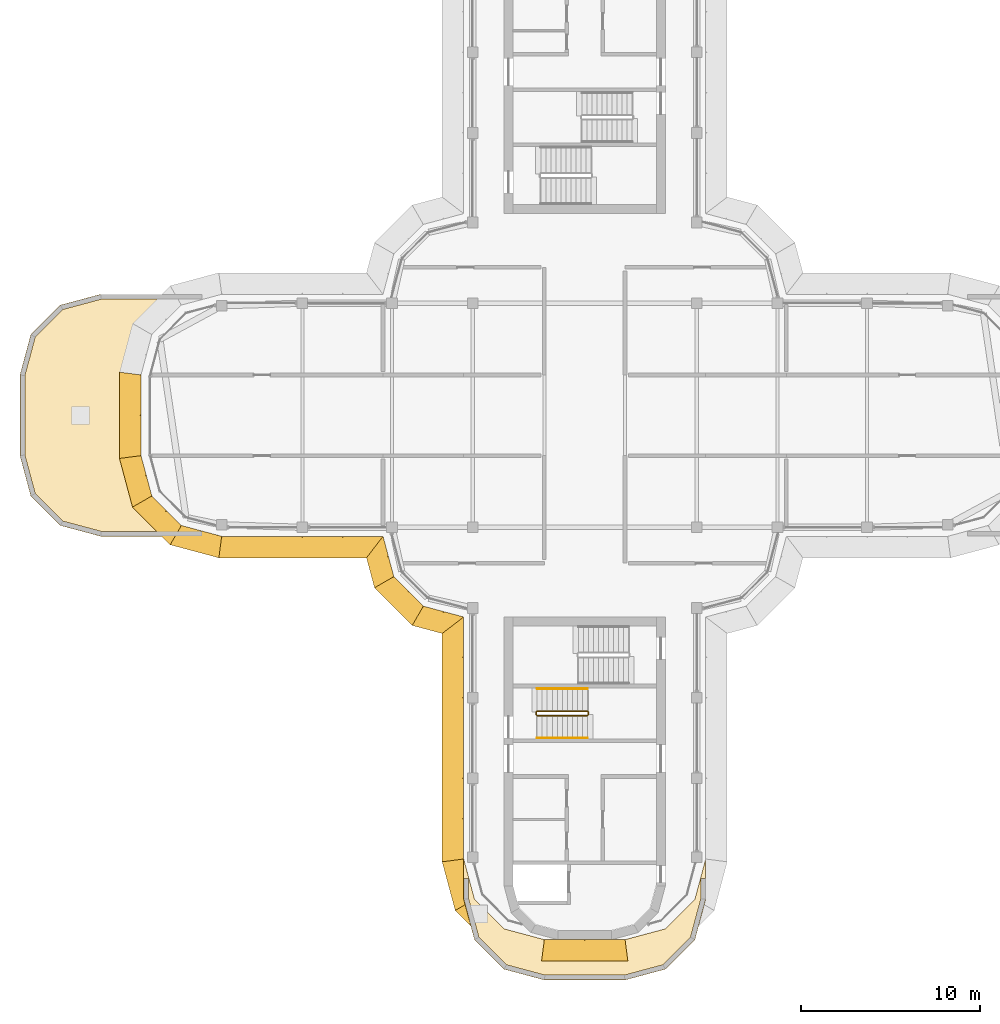
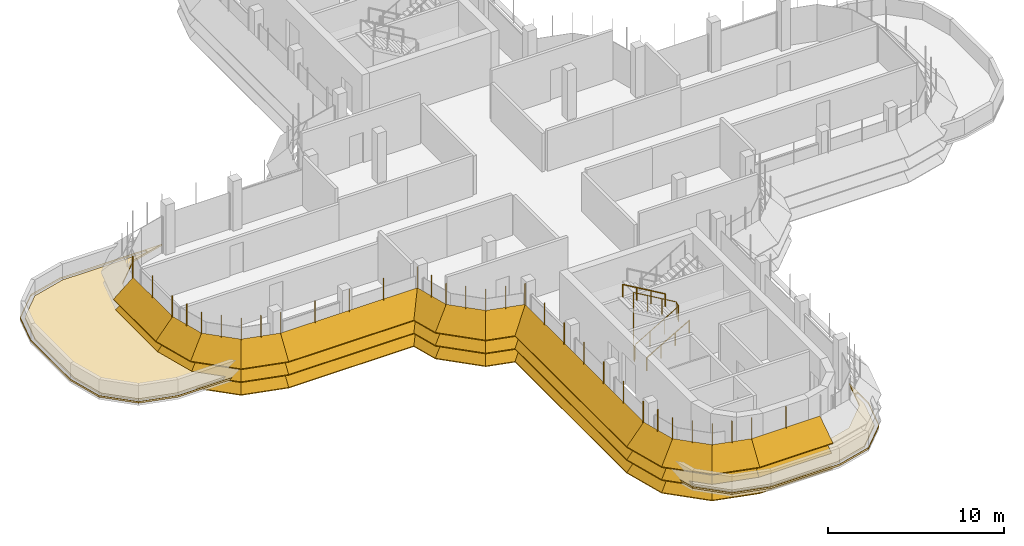
# One storey, part 17 of 20: 7 shading devices, 3 railings, 2 coverings.
"""IFC4 building model written with IfcOpenShell, lengths in metres."""

from ifc_helpers import new_model, si_unit, direction, frame, origin, origin_2d, place, context, subcontext, project, spatial, polyline, circle, outline, extrude, faceted_brep, source, transform, mapped, material, layer, layer_set, type_object, element, save


model = new_model("IFC4")

# Units and contexts
model_context = context("Model", 3, precision=1e-05, world=origin(), true_north=direction((0.0, 1.0)))
body_context = subcontext(model_context, "Body", "Model", "MODEL_VIEW")
ifc_project = project(units=[si_unit("LENGTHUNIT", "METRE"), si_unit("AREAUNIT", "SQUARE_METRE"), si_unit("VOLUMEUNIT", "CUBIC_METRE"), si_unit("PLANEANGLEUNIT", "RADIAN"), si_unit("MASSUNIT", "GRAM", prefix="KILO")], contexts=[model_context])

# Site, building, storey
site_placement = place(None, origin())
site = spatial("IfcSite", under=ifc_project, at=site_placement, CompositionType="ELEMENT")
building_placement = place(site_placement, origin())
building = spatial("IfcBuilding", under=site, at=building_placement, Name="Zarbagh Exchange Tower", CompositionType="ELEMENT")
storey_placement = place(building_placement, frame((0.0, 0.0, 291.60009765625)))
storey = spatial("IfcBuildingStorey", under=building, at=storey_placement, Name="L71", CompositionType="ELEMENT", Elevation=291.60009765625)

# Railings
ifc_material_1 = material(Name="Stainless steel", Category="steel")
railing_type_1 = type_object("IfcRailingType", Name="Stair guard 1100 mm", PredefinedType="GUARDRAIL", material=ifc_material_1)
railing_1_placement = place(storey_placement, frame((-2.64990234375, -16.75, 0.16357421875)))
element("IfcRailing", 1, at=railing_1_placement, inside=storey, type_object=railing_type_1, Name="ST3 stair guard 1", PredefinedType="GUARDRAIL", context=body_context, shape_type="SweptSolid", body=[
    extrude(circle(Radius=0.02392578125, at=origin_2d()), frame((0.0, 0.0, 1.076171875), z_axis=(0.863374499697, 0.0, 0.504563646405), x_axis=(0.0, 1.0, 0.0)), (0.0, 0.0, 1.0), 3.242919921875),
    extrude(circle(Radius=0.02392578125, at=origin_2d()), frame((2.7998046875, 0.0, 2.71240234375), z_axis=(0.707106781187, 0.707106781187, 0.0), x_axis=(-0.707106781187, 0.707106781187, 0.0)), (0.0, 0.0, 1.0), 0.07080078125),
    extrude(circle(Radius=0.02392578125, at=origin_2d()), frame((2.849853515625, 0.050048828125, 2.71240234375), z_axis=(0.0, 1.0, 0.0), x_axis=(-1.0, 0.0, 0.0)), (0.0, 0.0, 1.0), 0.14990234375),
    extrude(circle(Radius=0.02392578125, at=origin_2d()), frame((2.849853515625, 0.199951171875, 2.71240234375), z_axis=(-0.280456126637, 0.280456126637, 0.917980785237), x_axis=(-0.707106781187, -0.707106781187, 0.0)), (0.0, 0.0, 1.0), 0.178466796875),
    extrude(circle(Radius=0.02392578125, at=origin_2d()), frame((2.7998046875, 0.25, 2.8759765625), z_axis=(-0.863374499697, 0.0, 0.504563646405), x_axis=(0.0, -1.0, 0.0)), (0.0, 0.0, 1.0), 3.242919921875),
    extrude(circle(Radius=0.02392578125, at=origin_2d()), frame((0.0, 0.25, 4.51220703125), z_axis=(-0.013900331382, -0.013900331382, -0.999806762117), x_axis=(0.707106781187, -0.707106781187, 0.0)), (0.0, 0.0, 1.0), 3.6005859375),
    extrude(circle(Radius=0.02392578125, at=origin_2d()), frame((-0.050048828125, 0.199951171875, 0.91259765625), z_axis=(0.0, -1.0, 0.0), x_axis=(1.0, 0.0, 0.0)), (0.0, 0.0, 1.0), 0.14990234375),
    extrude(circle(Radius=0.02099609375, at=origin_2d()), origin(), (0.0, 0.0, 1.0), 1.052001953125),
    extrude(circle(Radius=0.02099609375, at=origin_2d()), frame((0.933349609375, 0.0, 0.54541015625)), (0.0, 0.0, 1.0), 1.052001953125),
    extrude(circle(Radius=0.02099609375, at=origin_2d()), frame((1.866455078125, 0.0, 1.0908203125)), (0.0, 0.0, 1.0), 1.052001953125),
    extrude(circle(Radius=0.02099609375, at=origin_2d()), frame((2.7998046875, 0.0, 1.63623046875)), (0.0, 0.0, 1.0), 1.052001953125),
    extrude(circle(Radius=0.02099609375, at=origin_2d()), frame((2.849853515625, 0.050048828125, 1.63623046875)), (0.0, 0.0, 1.0), 1.052001953125),
    extrude(circle(Radius=0.02099609375, at=origin_2d()), frame((2.849853515625, 0.199951171875, 1.63623046875)), (0.0, 0.0, 1.0), 1.052001953125),
    extrude(circle(Radius=0.02099609375, at=origin_2d()), frame((2.7998046875, 0.25, 1.800048828125)), (0.0, 0.0, 1.0), 1.052001953125),
    extrude(circle(Radius=0.02099609375, at=origin_2d()), frame((1.866455078125, 0.25, 2.345458984375)), (0.0, 0.0, 1.0), 1.052001953125),
    extrude(circle(Radius=0.02099609375, at=origin_2d()), frame((0.933349609375, 0.25, 2.890869140625)), (0.0, 0.0, 1.0), 1.052001953125),
    extrude(circle(Radius=0.02099609375, at=origin_2d()), frame((0.0, 0.25, 3.436279296875)), (0.0, 0.0, 1.0), 1.052001953125),
    extrude(circle(Radius=0.02099609375, at=origin_2d()), frame((-0.012451171875, 0.237548828125, 2.536376953125)), (0.0, 0.0, 1.0), 1.052001953125),
    extrude(circle(Radius=0.02099609375, at=origin_2d()), frame((-0.02490234375, 0.22509765625, 1.63623046875)), (0.0, 0.0, 1.0), 1.052001953125),
    extrude(circle(Radius=0.02099609375, at=origin_2d()), frame((-0.03759765625, 0.21240234375, 0.736328125)), (0.0, 0.0, 1.0), 1.052001953125),
    extrude(circle(Radius=0.02099609375, at=origin_2d()), frame((-0.050048828125, 0.199951171875, -0.16357421875)), (0.0, 0.0, 1.0), 1.052001953125),
    extrude(circle(Radius=0.02099609375, at=origin_2d()), frame((-0.050048828125, 0.050048828125, -0.16357421875)), (0.0, 0.0, 1.0), 1.052001953125),
])
railing_type_2 = type_object("IfcRailingType", Name="Stair handrail 900 mm", PredefinedType="HANDRAIL", material=ifc_material_1)
railing_2_placement = place(storey_placement, frame((-2.64990234375, -18.0, 0.16357421875)))
element("IfcRailing", 2, at=railing_2_placement, inside=storey, type_object=railing_type_2, Name="ST3 stair handrail 1", PredefinedType="HANDRAIL", context=body_context, shape_type="SweptSolid", body=[
    extrude(circle(Radius=0.02392578125, at=origin_2d()), frame((0.0, 0.0, 0.8759765625), z_axis=(0.863374499697, 0.0, 0.504563646405), x_axis=(0.0, 1.0, 0.0)), (0.0, 0.0, 1.0), 3.242919921875),
    extrude(circle(Radius=0.02099609375, at=origin_2d()), origin(), (0.0, 0.0, 1.0), 0.851806640625),
    extrude(circle(Radius=0.02099609375, at=origin_2d()), frame((0.933349609375, 0.0, 0.54541015625)), (0.0, 0.0, 1.0), 0.851806640625),
    extrude(circle(Radius=0.02099609375, at=origin_2d()), frame((1.866455078125, 0.0, 1.0908203125)), (0.0, 0.0, 1.0), 0.851806640625),
    extrude(circle(Radius=0.02099609375, at=origin_2d()), frame((2.7998046875, 0.0, 1.63623046875)), (0.0, 0.0, 1.0), 0.851806640625),
])
railing_3_placement = place(storey_placement, frame((0.14990234375, -15.25, 1.963623046875)))
element("IfcRailing", 3, at=railing_3_placement, inside=storey, type_object=railing_type_2, Name="ST3 stair handrail 2", PredefinedType="HANDRAIL", context=body_context, shape_type="SweptSolid", body=[
    extrude(circle(Radius=0.02392578125, at=origin_2d()), frame((0.0, 0.0, 0.8759765625), z_axis=(-0.863374499697, 0.0, 0.504563646405), x_axis=(0.0, -1.0, 0.0)), (0.0, 0.0, 1.0), 3.242919921875),
    extrude(circle(Radius=0.02099609375, at=origin_2d()), origin(), (0.0, 0.0, 1.0), 0.851806640625),
    extrude(circle(Radius=0.02099609375, at=origin_2d()), frame((-0.933349609375, 0.0, 0.54541015625)), (0.0, 0.0, 1.0), 0.851806640625),
    extrude(circle(Radius=0.02099609375, at=origin_2d()), frame((-1.866455078125, 0.0, 1.0908203125)), (0.0, 0.0, 1.0), 0.851806640625),
    extrude(circle(Radius=0.02099609375, at=origin_2d()), frame((-2.7998046875, 0.0, 1.63623046875)), (0.0, 0.0, 1.0), 0.851806640625),
])

# Coverings
ifc_material_2 = material(Name="Bituminous membrane and screed")
ifc_layer = layer(ifc_material_2, 0.1201171875)
ifc_layer_set = layer_set([ifc_layer], Name="Terrace roofing build-up, waterproofing and screed")
covering_type = type_object("IfcCoveringType", Name="Terrace roofing build-up, waterproofing and screed", PredefinedType="ROOFING", material=ifc_layer_set)
covering_1_placement = place(storey_placement, origin())
element("IfcCovering", 4, at=covering_1_placement, inside=storey, type_object=covering_type, Name="crown roofing", PredefinedType="ROOFING", context=body_context, shape_type="SweptSolid", body=[
    extrude(outline(polyline([(-4.5, -30.897216796875), (-6.147216796875, -29.25), (-6.75, -27.0), (-6.75, -24.75), (-6.147216796875, -27.0), (-4.5, -28.647216796875), (-2.25, -29.25), (2.25, -29.25), (4.5, -28.647216796875), (6.147216796875, -27.0), (6.75, -24.75), (6.75, -27.0), (6.147216796875, -29.25), (4.5, -30.897216796875), (2.25, -31.5), (-2.25, -31.5), (-4.5, -30.897216796875)]), holes=[polyline([(-4.489501953125, -30.879150390625), (-2.247314453125, -31.47998046875), (2.247314453125, -31.47998046875), (4.489501953125, -30.879150390625), (6.129150390625, -29.239501953125), (6.72998046875, -26.997314453125), (6.72998046875, -25.851318359375), (6.47998046875, -25.851318359375), (6.47998046875, -26.964599609375), (5.905029296875, -29.110107421875), (4.360107421875, -30.655029296875), (2.214599609375, -31.22998046875), (-2.214599609375, -31.22998046875), (-4.360107421875, -30.655029296875), (-5.905029296875, -29.110107421875), (-6.47998046875, -26.964599609375), (-6.47998046875, -25.851318359375), (-6.72998046875, -25.851318359375), (-6.72998046875, -26.997314453125), (-6.129150390625, -29.239501953125), (-4.489501953125, -30.879150390625)])]), origin(), (0.0, 0.0, 1.0), 0.119873046875),
])
covering_2_placement = place(storey_placement, origin())
element("IfcCovering", 5, at=covering_2_placement, inside=storey, type_object=covering_type, Name="crown roofing", PredefinedType="ROOFING", context=body_context, shape_type="SweptSolid", body=[
    extrude(outline(polyline([(-29.25, -6.147216796875), (-30.897216796875, -4.5), (-31.5, -2.25), (-31.5, 2.25), (-30.897216796875, 4.5), (-29.25, 6.147216796875), (-27.0, 6.75), (-20.25, 6.75), (-22.5, 6.147216796875), (-24.147216796875, 4.5), (-24.75, 2.25), (-24.75, -2.25), (-24.147216796875, -4.5), (-22.5, -6.147216796875), (-20.25, -6.75), (-27.0, -6.75), (-29.25, -6.147216796875)]), holes=[polyline([(-29.239501953125, -6.129150390625), (-26.997314453125, -6.72998046875), (-21.351318359375, -6.72998046875), (-21.351318359375, -6.47998046875), (-26.964599609375, -6.47998046875), (-29.110107421875, -5.905029296875), (-30.655029296875, -4.360107421875), (-31.22998046875, -2.214599609375), (-31.22998046875, 2.214599609375), (-30.655029296875, 4.360107421875), (-29.110107421875, 5.905029296875), (-26.964599609375, 6.47998046875), (-21.351318359375, 6.47998046875), (-21.351318359375, 6.72998046875), (-26.997314453125, 6.72998046875), (-29.239501953125, 6.129150390625), (-30.879150390625, 4.489501953125), (-31.47998046875, 2.247314453125), (-31.47998046875, -2.247314453125), (-30.879150390625, -4.489501953125), (-29.239501953125, -6.129150390625)])]), origin(), (0.0, 0.0, 1.0), 0.119873046875),
])

# Shading devices
ifc_material_3 = material(Name="Anodised aluminium blades and brackets", Category="aluminium")
shading_device_type = type_object("IfcShadingDeviceType", Name="SUNSHADE louvre band, 45 degree blades", PredefinedType="JALOUSIE", material=ifc_material_3)
shared_shape_1 = source(origin(), body_context, "Body", "Brep", [
    faceted_brep([(0.0, 0.0, 0.0), (0.0, 0.0, -0.056640625), (-0.157958984375, -1.199951171875, -1.256591796875), (-0.157958984375, -1.199951171875, -1.199951171875), (2.65087890625, -1.199951171875, -1.199951171875), (2.65087890625, -1.199951171875, -1.256591796875), (2.329345703125, 0.0, -0.056640625), (2.329345703125, 0.0, 0.0)], [[[0, 1, 2, 3]], [[4, 5, 6, 7]], [[0, 7, 6, 1]], [[1, 6, 5, 2]], [[2, 5, 4, 3]], [[3, 4, 7, 0]]]),
])
shared_shape_2 = source(origin(), body_context, "Body", "Brep", [
    faceted_brep([(0.0, 0.0, 0.0), (0.0, 0.0, -0.056640625), (-0.321533203125, -1.199951171875, -1.256591796875), (-0.321533203125, -1.199951171875, -1.199951171875), (2.65087890625, -1.199951171875, -1.199951171875), (2.65087890625, -1.199951171875, -1.256591796875), (2.329345703125, 0.0, -0.056640625), (2.329345703125, 0.0, 0.0)], [[[0, 1, 2, 3]], [[4, 5, 6, 7]], [[0, 7, 6, 1]], [[1, 6, 5, 2]], [[2, 5, 4, 3]], [[3, 4, 7, 0]]]),
])
shared_shape_3 = source(origin(), body_context, "Body", "Brep", [
    faceted_brep([(0.0, 0.0, 0.0), (0.0, 0.0, -0.056640625), (-0.321533203125, -1.199951171875, -1.256591796875), (-0.321533203125, -1.199951171875, -1.199951171875), (2.4873046875, -1.199951171875, -1.199951171875), (2.4873046875, -1.199951171875, -1.256591796875), (2.329345703125, 0.0, -0.056640625), (2.329345703125, 0.0, 0.0)], [[[0, 1, 2, 3]], [[4, 5, 6, 7]], [[0, 7, 6, 1]], [[1, 6, 5, 2]], [[2, 5, 4, 3]], [[3, 4, 7, 0]]]),
])
shared_shape_4 = source(origin(), body_context, "Body", "SweptSolid", [
    extrude(outline(polyline([(0.0, -0.012451171875), (0.06005859375, -0.012451171875), (0.06005859375, 0.012451171875), (0.0, 0.012451171875), (0.0, -0.012451171875)])), origin(), (0.0, 0.0, 1.0), 3.366455078125),
])
placement = place(storey_placement, origin())
element("IfcShadingDevice", 6, at=placement, inside=storey, type_object=shading_device_type, Name="SS65 sunshade band", PredefinedType="JALOUSIE", context=body_context, shape_type="MappedRepresentation", body=[
    mapped(shared_shape_1, transform((-24.75, -2.25, 2.099853515625), x_axis=(0.258824779902, -0.965924289636, 0.0), y_axis=(0.965924289636, 0.258824779902, 0.0), z_axis=(0.0, 0.0, 1.0))),
    mapped(shared_shape_1, transform((-24.75, -2.25, 1.199951171875), x_axis=(0.258824779902, -0.965924289636, 0.0), y_axis=(0.965924289636, 0.258824779902, 0.0), z_axis=(0.0, 0.0, 1.0))),
    mapped(shared_shape_1, transform((-24.75, -2.25, 0.2998046875), x_axis=(0.258824779902, -0.965924289636, 0.0), y_axis=(0.965924289636, 0.258824779902, 0.0), z_axis=(0.0, 0.0, 1.0))),
    mapped(shared_shape_2, transform((-24.147216796875, -4.5, 2.099853515625), x_axis=(0.707106781187, -0.707106781187, 0.0), y_axis=(0.707106781187, 0.707106781187, 0.0), z_axis=(0.0, 0.0, 1.0))),
    mapped(shared_shape_2, transform((-24.147216796875, -4.5, 1.199951171875), x_axis=(0.707106781187, -0.707106781187, 0.0), y_axis=(0.707106781187, 0.707106781187, 0.0), z_axis=(0.0, 0.0, 1.0))),
    mapped(shared_shape_2, transform((-24.147216796875, -4.5, 0.2998046875), x_axis=(0.707106781187, -0.707106781187, 0.0), y_axis=(0.707106781187, 0.707106781187, 0.0), z_axis=(0.0, 0.0, 1.0))),
    mapped(shared_shape_3, transform((-22.5, -6.147216796875, 2.099853515625), x_axis=(0.965924289636, -0.258824779902, 0.0), y_axis=(0.258824779902, 0.965924289636, 0.0), z_axis=(0.0, 0.0, 1.0))),
    mapped(shared_shape_3, transform((-22.5, -6.147216796875, 1.199951171875), x_axis=(0.965924289636, -0.258824779902, 0.0), y_axis=(0.258824779902, 0.965924289636, 0.0), z_axis=(0.0, 0.0, 1.0))),
    mapped(shared_shape_3, transform((-22.5, -6.147216796875, 0.2998046875), x_axis=(0.965924289636, -0.258824779902, 0.0), y_axis=(0.258824779902, 0.965924289636, 0.0), z_axis=(0.0, 0.0, 1.0))),
    mapped(shared_shape_4, transform((-24.75, -2.25, 0.21337890625), x_axis=(-0.991444457092, -0.130529263012, 0.0), y_axis=(0.130529263012, -0.991444457092, 0.0), z_axis=(0.0, 0.0, 1.0))),
    mapped(shared_shape_4, transform((-24.448486328125, -3.375, 0.21337890625), x_axis=(-0.96592421511, -0.258825058029, 0.0), y_axis=(0.258825058029, -0.96592421511, 0.0), z_axis=(0.0, 0.0, 1.0))),
    mapped(shared_shape_4, transform((-24.147216796875, -4.5, 0.21337890625), x_axis=(-0.866023812018, -0.50000275701, 0.0), y_axis=(0.50000275701, -0.866023812018, 0.0), z_axis=(0.0, 0.0, 1.0))),
    mapped(shared_shape_4, transform((-23.323486328125, -5.323486328125, 0.21337890625), x_axis=(-0.707106781187, -0.707106781187, 0.0), y_axis=(0.707106781187, -0.707106781187, 0.0), z_axis=(0.0, 0.0, 1.0))),
    mapped(shared_shape_4, transform((-22.5, -6.147216796875, 0.21337890625), x_axis=(-0.50000275701, -0.866023812018, 0.0), y_axis=(0.866023812018, -0.50000275701, 0.0), z_axis=(0.0, 0.0, 1.0))),
    mapped(shared_shape_4, transform((-21.375, -6.448486328125, 0.21337890625), x_axis=(-0.258825058029, -0.96592421511, 0.0), y_axis=(0.96592421511, -0.258825058029, 0.0), z_axis=(0.0, 0.0, 1.0))),
])
element("IfcShadingDevice", 7, at=placement, inside=storey, type_object=shading_device_type, Name="SS68 sunshade band", PredefinedType="JALOUSIE", context=body_context, shape_type="MappedRepresentation", body=[
    mapped(shared_shape_1, transform((-6.75, -24.75, 2.099853515625), x_axis=(0.258824779902, -0.965924289636, 0.0), y_axis=(0.965924289636, 0.258824779902, 0.0), z_axis=(0.0, 0.0, 1.0))),
    mapped(shared_shape_1, transform((-6.75, -24.75, 1.199951171875), x_axis=(0.258824779902, -0.965924289636, 0.0), y_axis=(0.965924289636, 0.258824779902, 0.0), z_axis=(0.0, 0.0, 1.0))),
    mapped(shared_shape_1, transform((-6.75, -24.75, 0.2998046875), x_axis=(0.258824779902, -0.965924289636, 0.0), y_axis=(0.965924289636, 0.258824779902, 0.0), z_axis=(0.0, 0.0, 1.0))),
    mapped(shared_shape_2, transform((-6.147216796875, -27.0, 2.099853515625), x_axis=(0.707106781187, -0.707106781187, 0.0), y_axis=(0.707106781187, 0.707106781187, 0.0), z_axis=(0.0, 0.0, 1.0))),
    mapped(shared_shape_2, transform((-6.147216796875, -27.0, 1.199951171875), x_axis=(0.707106781187, -0.707106781187, 0.0), y_axis=(0.707106781187, 0.707106781187, 0.0), z_axis=(0.0, 0.0, 1.0))),
    mapped(shared_shape_2, transform((-6.147216796875, -27.0, 0.2998046875), x_axis=(0.707106781187, -0.707106781187, 0.0), y_axis=(0.707106781187, 0.707106781187, 0.0), z_axis=(0.0, 0.0, 1.0))),
    mapped(shared_shape_3, transform((-4.5, -28.647216796875, 2.099853515625), x_axis=(0.965924289636, -0.258824779902, 0.0), y_axis=(0.258824779902, 0.965924289636, 0.0), z_axis=(0.0, 0.0, 1.0))),
    mapped(shared_shape_3, transform((-4.5, -28.647216796875, 1.199951171875), x_axis=(0.965924289636, -0.258824779902, 0.0), y_axis=(0.258824779902, 0.965924289636, 0.0), z_axis=(0.0, 0.0, 1.0))),
    mapped(shared_shape_3, transform((-4.5, -28.647216796875, 0.2998046875), x_axis=(0.965924289636, -0.258824779902, 0.0), y_axis=(0.258824779902, 0.965924289636, 0.0), z_axis=(0.0, 0.0, 1.0))),
    mapped(shared_shape_4, transform((-6.75, -24.75, 0.21337890625), x_axis=(-0.991444457092, -0.130529263012, 0.0), y_axis=(0.130529263012, -0.991444457092, 0.0), z_axis=(0.0, 0.0, 1.0))),
    mapped(shared_shape_4, transform((-6.448486328125, -25.875, 0.21337890625), x_axis=(-0.96592421511, -0.258825058029, 0.0), y_axis=(0.258825058029, -0.96592421511, 0.0), z_axis=(0.0, 0.0, 1.0))),
    mapped(shared_shape_4, transform((-6.147216796875, -27.0, 0.21337890625), x_axis=(-0.866023812018, -0.50000275701, 0.0), y_axis=(0.50000275701, -0.866023812018, 0.0), z_axis=(0.0, 0.0, 1.0))),
    mapped(shared_shape_4, transform((-5.323486328125, -27.823486328125, 0.21337890625), x_axis=(-0.707106781187, -0.707106781187, 0.0), y_axis=(0.707106781187, -0.707106781187, 0.0), z_axis=(0.0, 0.0, 1.0))),
    mapped(shared_shape_4, transform((-4.5, -28.647216796875, 0.21337890625), x_axis=(-0.50000275701, -0.866023812018, 0.0), y_axis=(0.866023812018, -0.50000275701, 0.0), z_axis=(0.0, 0.0, 1.0))),
    mapped(shared_shape_4, transform((-3.375, -28.948486328125, 0.21337890625), x_axis=(-0.258825058029, -0.96592421511, 0.0), y_axis=(0.96592421511, -0.258825058029, 0.0), z_axis=(0.0, 0.0, 1.0))),
])
shared_shape_5 = source(origin(), body_context, "Body", "Brep", [
    faceted_brep([(0.0, 0.0, 0.0), (0.0, 0.0, -0.056640625), (0.9208984375, -1.199951171875, -1.256591796875), (0.9208984375, -1.199951171875, -1.199951171875), (2.65087890625, -1.199951171875, -1.199951171875), (2.65087890625, -1.199951171875, -1.256591796875), (2.329345703125, 0.0, -0.056640625), (2.329345703125, 0.0, 0.0)], [[[0, 1, 2, 3]], [[4, 5, 6, 7]], [[0, 7, 6, 1]], [[1, 6, 5, 2]], [[2, 5, 4, 3]], [[3, 4, 7, 0]]]),
])
shared_shape_6 = source(origin(), body_context, "Body", "Brep", [
    faceted_brep([(0.0, 0.0, 0.0), (0.0, 0.0, -0.056640625), (-0.321533203125, -1.199951171875, -1.256591796875), (-0.321533203125, -1.199951171875, -1.199951171875), (1.40869140625, -1.199951171875, -1.199951171875), (1.40869140625, -1.199951171875, -1.256591796875), (2.329345703125, 0.0, -0.056640625), (2.329345703125, 0.0, 0.0)], [[[0, 1, 2, 3]], [[4, 5, 6, 7]], [[0, 7, 6, 1]], [[1, 6, 5, 2]], [[2, 5, 4, 3]], [[3, 4, 7, 0]]]),
])
element("IfcShadingDevice", 8, at=placement, inside=storey, type_object=shading_device_type, Name="SS21 sunshade band", PredefinedType="JALOUSIE", context=body_context, shape_type="MappedRepresentation", body=[
    mapped(shared_shape_5, transform((-11.25, -6.75, 2.099853515625), x_axis=(0.258824779902, -0.965924289636, 0.0), y_axis=(0.965924289636, 0.258824779902, 0.0), z_axis=(0.0, 0.0, 1.0))),
    mapped(shared_shape_5, transform((-11.25, -6.75, 1.199951171875), x_axis=(0.258824779902, -0.965924289636, 0.0), y_axis=(0.965924289636, 0.258824779902, 0.0), z_axis=(0.0, 0.0, 1.0))),
    mapped(shared_shape_5, transform((-11.25, -6.75, 0.2998046875), x_axis=(0.258824779902, -0.965924289636, 0.0), y_axis=(0.965924289636, 0.258824779902, 0.0), z_axis=(0.0, 0.0, 1.0))),
    mapped(shared_shape_2, transform((-10.647216796875, -9.0, 2.099853515625), x_axis=(0.707106781187, -0.707106781187, 0.0), y_axis=(0.707106781187, 0.707106781187, 0.0), z_axis=(0.0, 0.0, 1.0))),
    mapped(shared_shape_2, transform((-10.647216796875, -9.0, 1.199951171875), x_axis=(0.707106781187, -0.707106781187, 0.0), y_axis=(0.707106781187, 0.707106781187, 0.0), z_axis=(0.0, 0.0, 1.0))),
    mapped(shared_shape_2, transform((-10.647216796875, -9.0, 0.2998046875), x_axis=(0.707106781187, -0.707106781187, 0.0), y_axis=(0.707106781187, 0.707106781187, 0.0), z_axis=(0.0, 0.0, 1.0))),
    mapped(shared_shape_6, transform((-9.0, -10.647216796875, 2.099853515625), x_axis=(0.965924289636, -0.258824779902, 0.0), y_axis=(0.258824779902, 0.965924289636, 0.0), z_axis=(0.0, 0.0, 1.0))),
    mapped(shared_shape_6, transform((-9.0, -10.647216796875, 1.199951171875), x_axis=(0.965924289636, -0.258824779902, 0.0), y_axis=(0.258824779902, 0.965924289636, 0.0), z_axis=(0.0, 0.0, 1.0))),
    mapped(shared_shape_6, transform((-9.0, -10.647216796875, 0.2998046875), x_axis=(0.965924289636, -0.258824779902, 0.0), y_axis=(0.258824779902, 0.965924289636, 0.0), z_axis=(0.0, 0.0, 1.0))),
    mapped(shared_shape_4, transform((-11.25, -6.75, 0.21337890625), x_axis=(-0.608758892, -0.793355287, 0.0), y_axis=(0.793355287, -0.608758892, 0.0), z_axis=(0.0, 0.0, 1.0))),
    mapped(shared_shape_4, transform((-10.948486328125, -7.875, 0.21337890625), x_axis=(-0.96592421511, -0.258825058029, 0.0), y_axis=(0.258825058029, -0.96592421511, 0.0), z_axis=(0.0, 0.0, 1.0))),
    mapped(shared_shape_4, transform((-10.647216796875, -9.0, 0.21337890625), x_axis=(-0.866023812018, -0.50000275701, 0.0), y_axis=(0.50000275701, -0.866023812018, 0.0), z_axis=(0.0, 0.0, 1.0))),
    mapped(shared_shape_4, transform((-9.823486328125, -9.823486328125, 0.21337890625), x_axis=(-0.707106781187, -0.707106781187, 0.0), y_axis=(0.707106781187, -0.707106781187, 0.0), z_axis=(0.0, 0.0, 1.0))),
    mapped(shared_shape_4, transform((-9.0, -10.647216796875, 0.21337890625), x_axis=(-0.50000275701, -0.866023812018, 0.0), y_axis=(0.866023812018, -0.50000275701, 0.0), z_axis=(0.0, 0.0, 1.0))),
    mapped(shared_shape_4, transform((-7.875, -10.948486328125, 0.21337890625), x_axis=(-0.258825058029, -0.96592421511, 0.0), y_axis=(0.96592421511, -0.258825058029, 0.0), z_axis=(0.0, 0.0, 1.0))),
])
shared_shape_7 = source(origin(), body_context, "Body", "Brep", [
    faceted_brep([(0.0, 0.0, 0.0), (0.0, 0.0, -0.056640625), (-0.157958984375, -1.199951171875, -1.256591796875), (-0.157958984375, -1.199951171875, -1.199951171875), (4.657958984375, -1.199951171875, -1.199951171875), (4.657958984375, -1.199951171875, -1.256591796875), (4.5, 0.0, -0.056640625), (4.5, 0.0, 0.0)], [[[0, 1, 2, 3]], [[4, 5, 6, 7]], [[0, 7, 6, 1]], [[1, 6, 5, 2]], [[2, 5, 4, 3]], [[3, 4, 7, 0]]]),
])
element("IfcShadingDevice", 9, at=placement, inside=storey, type_object=shading_device_type, Name="SS64 sunshade band", PredefinedType="JALOUSIE", context=body_context, shape_type="MappedRepresentation", body=[
    mapped(shared_shape_7, transform((-24.75, 2.25, 2.099853515625), x_axis=(0.0, -1.0, 0.0), y_axis=(1.0, 0.0, 0.0), z_axis=(0.0, 0.0, 1.0))),
    mapped(shared_shape_7, transform((-24.75, 2.25, 1.199951171875), x_axis=(0.0, -1.0, 0.0), y_axis=(1.0, 0.0, 0.0), z_axis=(0.0, 0.0, 1.0))),
    mapped(shared_shape_7, transform((-24.75, 2.25, 0.2998046875), x_axis=(0.0, -1.0, 0.0), y_axis=(1.0, 0.0, 0.0), z_axis=(0.0, 0.0, 1.0))),
    mapped(shared_shape_4, transform((-24.75, 2.25, 0.21337890625), x_axis=(-0.991444457092, 0.130529263012, 0.0), y_axis=(-0.130529263012, -0.991444457092, 0.0), z_axis=(0.0, 0.0, 1.0))),
    mapped(shared_shape_4, transform((-24.75, 0.0, 0.21337890625), x_axis=(-1.0, 0.0, 0.0), y_axis=(0.0, -1.0, 0.0), z_axis=(0.0, 0.0, 1.0))),
])
shared_shape_8 = source(origin(), body_context, "Body", "Brep", [
    faceted_brep([(0.0, 0.0, 0.0), (0.0, 0.0, -0.056640625), (-0.157958984375, -1.199951171875, -1.256591796875), (-0.157958984375, -1.199951171875, -1.199951171875), (8.0791015625, -1.199951171875, -1.199951171875), (8.0791015625, -1.199951171875, -1.256591796875), (9.0, 0.0, -0.056640625), (9.0, 0.0, 0.0)], [[[0, 1, 2, 3]], [[4, 5, 6, 7]], [[0, 7, 6, 1]], [[1, 6, 5, 2]], [[2, 5, 4, 3]], [[3, 4, 7, 0]]]),
])
element("IfcShadingDevice", 10, at=placement, inside=storey, type_object=shading_device_type, Name="SS66 sunshade band", PredefinedType="JALOUSIE", context=body_context, shape_type="MappedRepresentation", body=[
    mapped(shared_shape_8, transform((-20.25, -6.75, 2.099853515625), x_axis=(1.0, 0.0, 0.0), y_axis=(0.0, 1.0, 0.0), z_axis=(0.0, 0.0, 1.0))),
    mapped(shared_shape_8, transform((-20.25, -6.75, 1.199951171875), x_axis=(1.0, 0.0, 0.0), y_axis=(0.0, 1.0, 0.0), z_axis=(0.0, 0.0, 1.0))),
    mapped(shared_shape_8, transform((-20.25, -6.75, 0.2998046875), x_axis=(1.0, 0.0, 0.0), y_axis=(0.0, 1.0, 0.0), z_axis=(0.0, 0.0, 1.0))),
    mapped(shared_shape_4, transform((-20.25, -6.75, 0.21337890625), x_axis=(-0.130529263012, -0.991444457092, 0.0), y_axis=(0.991444457092, -0.130529263012, 0.0), z_axis=(0.0, 0.0, 1.0))),
    mapped(shared_shape_4, transform((-18.0, -6.75, 0.21337890625), x_axis=(0.0, -1.0, 0.0), y_axis=(1.0, 0.0, 0.0), z_axis=(0.0, 0.0, 1.0))),
    mapped(shared_shape_4, transform((-15.75, -6.75, 0.21337890625), x_axis=(0.0, -1.0, 0.0), y_axis=(1.0, 0.0, 0.0), z_axis=(0.0, 0.0, 1.0))),
    mapped(shared_shape_4, transform((-13.5, -6.75, 0.21337890625), x_axis=(0.0, -1.0, 0.0), y_axis=(1.0, 0.0, 0.0), z_axis=(0.0, 0.0, 1.0))),
])
shared_shape_9 = source(origin(), body_context, "Body", "Brep", [
    faceted_brep([(0.0, 0.0, 0.0), (0.0, 0.0, -0.056640625), (0.9208984375, -1.199951171875, -1.256591796875), (0.9208984375, -1.199951171875, -1.199951171875), (13.657958984375, -1.199951171875, -1.199951171875), (13.657958984375, -1.199951171875, -1.256591796875), (13.5, 0.0, -0.056640625), (13.5, 0.0, 0.0)], [[[0, 1, 2, 3]], [[4, 5, 6, 7]], [[0, 7, 6, 1]], [[1, 6, 5, 2]], [[2, 5, 4, 3]], [[3, 4, 7, 0]]]),
])
element("IfcShadingDevice", 11, at=placement, inside=storey, type_object=shading_device_type, Name="SS67 sunshade band", PredefinedType="JALOUSIE", context=body_context, shape_type="MappedRepresentation", body=[
    mapped(shared_shape_9, transform((-6.75, -11.25, 2.099853515625), x_axis=(0.0, -1.0, 0.0), y_axis=(1.0, 0.0, 0.0), z_axis=(0.0, 0.0, 1.0))),
    mapped(shared_shape_9, transform((-6.75, -11.25, 1.199951171875), x_axis=(0.0, -1.0, 0.0), y_axis=(1.0, 0.0, 0.0), z_axis=(0.0, 0.0, 1.0))),
    mapped(shared_shape_9, transform((-6.75, -11.25, 0.2998046875), x_axis=(0.0, -1.0, 0.0), y_axis=(1.0, 0.0, 0.0), z_axis=(0.0, 0.0, 1.0))),
    mapped(shared_shape_4, transform((-6.75, -11.25, 0.21337890625), x_axis=(-0.793355287, -0.608758892, 0.0), y_axis=(0.608758892, -0.793355287, 0.0), z_axis=(0.0, 0.0, 1.0))),
    mapped(shared_shape_4, transform((-6.75, -13.5, 0.21337890625), x_axis=(-1.0, 0.0, 0.0), y_axis=(0.0, -1.0, 0.0), z_axis=(0.0, 0.0, 1.0))),
    mapped(shared_shape_4, transform((-6.75, -15.75, 0.21337890625), x_axis=(-1.0, 0.0, 0.0), y_axis=(0.0, -1.0, 0.0), z_axis=(0.0, 0.0, 1.0))),
    mapped(shared_shape_4, transform((-6.75, -18.0, 0.21337890625), x_axis=(-1.0, 0.0, 0.0), y_axis=(0.0, -1.0, 0.0), z_axis=(0.0, 0.0, 1.0))),
    mapped(shared_shape_4, transform((-6.75, -20.25, 0.21337890625), x_axis=(-1.0, 0.0, 0.0), y_axis=(0.0, -1.0, 0.0), z_axis=(0.0, 0.0, 1.0))),
    mapped(shared_shape_4, transform((-6.75, -22.5, 0.21337890625), x_axis=(-1.0, 0.0, 0.0), y_axis=(0.0, -1.0, 0.0), z_axis=(0.0, 0.0, 1.0))),
])
element("IfcShadingDevice", 12, at=placement, inside=storey, type_object=shading_device_type, Name="SS69 sunshade band", PredefinedType="JALOUSIE", context=body_context, shape_type="MappedRepresentation", body=[
    mapped(shared_shape_7, transform((-2.25, -29.25, 2.099853515625), x_axis=(1.0, 0.0, 0.0), y_axis=(0.0, 1.0, 0.0), z_axis=(0.0, 0.0, 1.0))),
    mapped(shared_shape_7, transform((-2.25, -29.25, 1.199951171875), x_axis=(1.0, 0.0, 0.0), y_axis=(0.0, 1.0, 0.0), z_axis=(0.0, 0.0, 1.0))),
    mapped(shared_shape_7, transform((-2.25, -29.25, 0.2998046875), x_axis=(1.0, 0.0, 0.0), y_axis=(0.0, 1.0, 0.0), z_axis=(0.0, 0.0, 1.0))),
    mapped(shared_shape_4, transform((-2.25, -29.25, 0.21337890625), x_axis=(-0.130529263012, -0.991444457092, 0.0), y_axis=(0.991444457092, -0.130529263012, 0.0), z_axis=(0.0, 0.0, 1.0))),
    mapped(shared_shape_4, transform((0.0, -29.25, 0.21337890625), x_axis=(0.0, -1.0, 0.0), y_axis=(1.0, 0.0, 0.0), z_axis=(0.0, 0.0, 1.0))),
])

save(model, "model.ifc")
